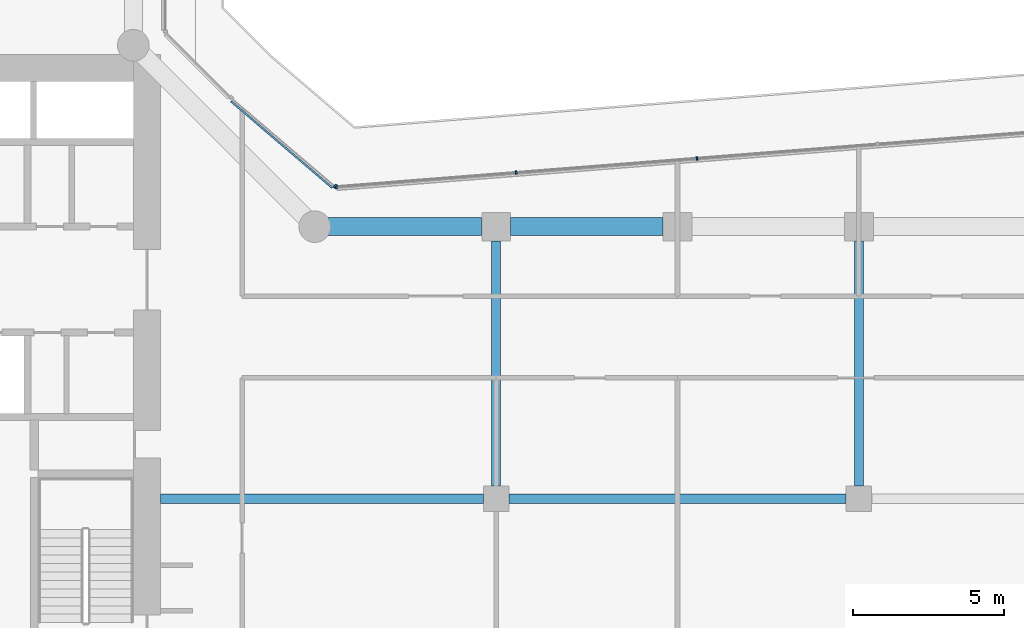
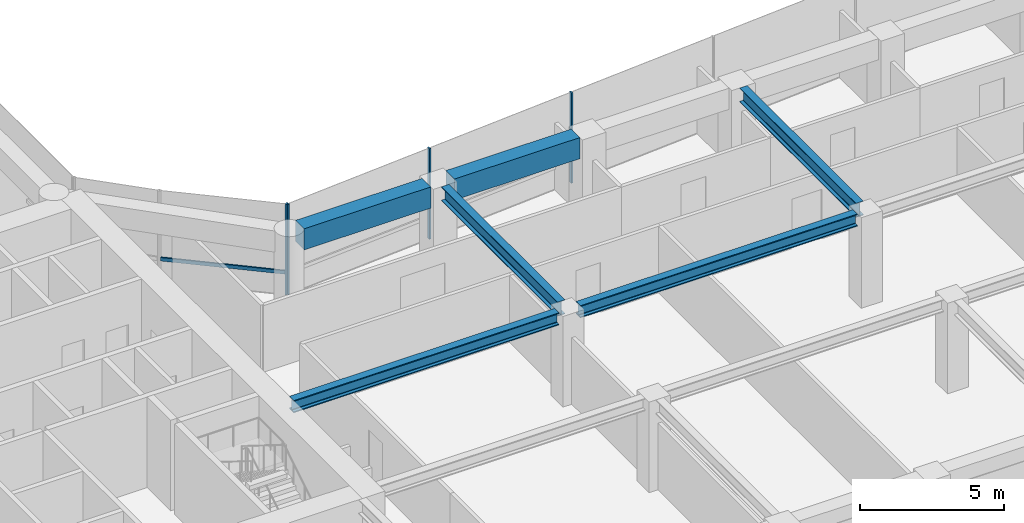
# One storey, part 9 of 28: 6 beams, 5 members, 2 elements without a shape of their own.
"""IFC4 building model written with IfcOpenShell, lengths in metres."""

import ifcopenshell
import ifcopenshell.guid

model = None  # the IFC model being written
_history = None  # IfcOwnerHistory: only IFC2X3 demands one
_inside = {}  # id of a spatial element -> (the spatial element, [elements in it])
_under = {}  # id of a project, library or spatial element -> (it, [spatial elements below it])
_declared = {}  # id of a project -> (the project, [libraries it declares])
_typed = {}  # id of a type object -> (the type object, [elements of that type])
_made_of = {}  # id of a material, layer set ... -> (it, [elements and type objects made of it])


def new_model(schema):
    """Start an empty IFC model of exactly this schema.

    Asked for "IFC4X3", IfcOpenShell would pick the latest addendum, in which some entities
    have other attributes; the version numbers below select the first issue.
    IFC2X3 requires an IfcOwnerHistory on every rooted entity: one is made here for all.
    """
    global model, _history
    if schema == "IFC4X3":
        model = ifcopenshell.file(schema_version=(4, 3, 0, 0))
    else:
        model = ifcopenshell.file(schema=schema)
    _inside.clear()
    _under.clear()
    _declared.clear()
    _typed.clear()
    _made_of.clear()
    _history = None
    if model.schema == "IFC2X3":
        org = make("IfcOrganization", Name="unknown")
        user = make(
            "IfcPersonAndOrganization",
            ThePerson=make("IfcPerson", FamilyName="unknown"),
            TheOrganization=org,
        )
        app = make(
            "IfcApplication",
            ApplicationDeveloper=org,
            Version="unknown",
            ApplicationFullName="unknown",
            ApplicationIdentifier="unknown",
        )
        _history = make(
            "IfcOwnerHistory",
            OwningUser=user,
            OwningApplication=app,
            ChangeAction="ADDED",
            CreationDate=0,
        )
    return model


def make(cls, **values):
    """One entity of the class cls with the attributes given. An attribute that is None is left unset."""
    return model.create_entity(
        cls, **{name: value for name, value in values.items() if value is not None}
    )


def rooted(cls, **values):
    """An entity with a GlobalId (a new one), such as an element, a storey or a relation."""
    return make(cls, GlobalId=ifcopenshell.guid.new(), OwnerHistory=_history, **values)


def si_unit(unit_type, name, prefix=None):
    """IfcSIUnit, for example si_unit("LENGTHUNIT", "METRE", prefix="MILLI")."""
    return make("IfcSIUnit", UnitType=unit_type, Prefix=prefix, Name=name)


def assignment(units):
    """IfcUnitAssignment: the units of a project."""
    return None if units is None else make("IfcUnitAssignment", Units=units)


def point(xyz):
    """IfcCartesianPoint."""
    return None if xyz is None else make("IfcCartesianPoint", Coordinates=xyz)


def direction(xyz):
    """IfcDirection."""
    return None if xyz is None else make("IfcDirection", DirectionRatios=xyz)


def frame(location, z_axis=None, x_axis=None):
    """IfcAxis2Placement3D, a coordinate frame: its origin and axes. An axis left out is left unset."""
    return make(
        "IfcAxis2Placement3D",
        Location=point(location),
        Axis=direction(z_axis),
        RefDirection=direction(x_axis),
    )


def frame_2d(location, x_axis=None):
    """IfcAxis2Placement2D, a coordinate frame in the plane: its origin and x axis."""
    return make(
        "IfcAxis2Placement2D", Location=point(location), RefDirection=direction(x_axis)
    )


def origin():
    """The frame at (0, 0, 0) with its axes left unset."""
    return frame((0.0, 0.0, 0.0))


def origin_2d():
    """The frame at (0, 0) in the plane with its x axis left unset."""
    return frame_2d((0.0, 0.0))


def place(relative_to, where):
    """IfcLocalPlacement: puts the frame where relative to a parent placement (None: the world)."""
    return make(
        "IfcLocalPlacement", PlacementRelTo=relative_to, RelativePlacement=where
    )


def context(
    kind, dimensions, precision=None, world=None, true_north=None, identifier=None
):
    """IfcGeometricRepresentationContext, for example the 3D "Model" context."""
    return make(
        "IfcGeometricRepresentationContext",
        ContextIdentifier=identifier,
        ContextType=kind,
        CoordinateSpaceDimension=dimensions,
        Precision=precision,
        WorldCoordinateSystem=world,
        TrueNorth=true_north,
    )


def subcontext(parent, identifier, kind, view, scale=None):
    """IfcGeometricRepresentationSubContext, for example "Body" below "Model"."""
    return make(
        "IfcGeometricRepresentationSubContext",
        ContextIdentifier=identifier,
        ContextType=kind,
        ParentContext=parent,
        TargetScale=scale,
        TargetView=view,
    )


def project(units=None, contexts=None):
    """IfcProject with its units and contexts."""
    return rooted(
        "IfcProject",
        Name="project",
        RepresentationContexts=contexts,
        UnitsInContext=assignment(units),
    )


def spatial(cls, under=None, at=None, **own):
    """A site, building, storey or space (cls), placed at a placement, below another one or the project."""
    s = rooted(cls, ObjectPlacement=at, **own)
    if under is not None:
        _under.setdefault(under.id(), (under, []))[1].append(s)
    return s


def profile(cls, at=None, kind="AREA", **sizes):
    """A parametric profile (cls). Its sizes go by their IFC names, for example OverallWidth=200.0."""
    return make(cls, ProfileType=kind, Position=at, **sizes)


def rectangle(**sizes):
    """IfcRectangleProfileDef."""
    return profile("IfcRectangleProfileDef", **sizes)


def i_section(**sizes):
    """IfcIShapeProfileDef."""
    return profile("IfcIShapeProfileDef", **sizes)


def extrude(swept, where, along, depth):
    """IfcExtrudedAreaSolid: the profile swept, set in the frame where, extruded along a direction by depth."""
    return make(
        "IfcExtrudedAreaSolid",
        SweptArea=swept,
        Position=where,
        ExtrudedDirection=direction(along),
        Depth=depth,
    )


def shape(context_of_items, identifier, shape_type, items):
    """IfcShapeRepresentation: the items that make up one representation, for example the "Body"."""
    return make(
        "IfcShapeRepresentation",
        ContextOfItems=context_of_items,
        RepresentationIdentifier=identifier,
        RepresentationType=shape_type,
        Items=items,
    )


def material(Name=None, Category=None):
    """IfcMaterial."""
    return make("IfcMaterial", Name=Name, Category=Category)


def layer(
    of_material, thickness, ventilated=None, Name=None, Category=None, Priority=None
):
    """IfcMaterialLayer: one layer of a wall or slab, of a material (None: an air gap)."""
    return make(
        "IfcMaterialLayer",
        Material=of_material,
        LayerThickness=thickness,
        IsVentilated=ventilated,
        Name=Name,
        Category=Category,
        Priority=Priority,
    )


def layer_set(layers, Name=None):
    """IfcMaterialLayerSet."""
    return make("IfcMaterialLayerSet", MaterialLayers=layers, LayerSetName=Name)


def material_profile(
    of_material, cross_section, Name=None, Category=None, Priority=None
):
    """IfcMaterialProfile: a cross section and its material."""
    return make(
        "IfcMaterialProfile",
        Name=Name,
        Material=of_material,
        Profile=cross_section,
        Priority=Priority,
        Category=Category,
    )


def profile_set(profiles, Name=None, composite=None):
    """IfcMaterialProfileSet."""
    return make(
        "IfcMaterialProfileSet",
        Name=Name,
        MaterialProfiles=profiles,
        CompositeProfile=composite,
    )


def made_of(thing, what):
    """Note that an element or type object is made of a material, layer set ...; save() writes the relation."""
    if what is not None:
        _made_of.setdefault(what.id(), (what, []))[1].append(thing)
    return thing


def type_object(cls, material=None, **own):
    """A type object (cls), such as IfcWallType, which elements share."""
    return made_of(rooted(cls, **own), material)


def element(
    cls,
    number,
    at=None,
    inside=None,
    cuts=None,
    type_object=None,
    material=None,
    context=None,
    identifier="Body",
    shape_type=None,
    held_by="IfcProductDefinitionShape",
    body=None,
    shapes=None,
    **own,
):
    """One element of the class cls, such as IfcWall. Its Tag is "e" and its number.

    at: its placement. inside: the storey or other place that contains it. cuts: it is an
    opening in that element (IfcRelVoidsElement). A single representation is given by context,
    identifier, shape_type and body (its items); several are given by shapes. held_by: the class
    of the entity that holds the representations. save() writes the other relations.
    """
    e = rooted(cls, Tag="e%d" % number, ObjectPlacement=at, **own)
    if body is not None:
        shapes = [shape(context, identifier, shape_type, body)]
    if shapes is not None:
        e.Representation = make(held_by, Representations=shapes)
    if inside is not None:
        _inside.setdefault(inside.id(), (inside, []))[1].append(e)
    if cuts is not None:
        rooted(
            "IfcRelVoidsElement", RelatingBuildingElement=cuts, RelatedOpeningElement=e
        )
    if type_object is not None:
        _typed.setdefault(type_object.id(), (type_object, []))[1].append(e)
    return made_of(e, material)


def aggregate(whole, parts):
    """IfcRelAggregates: a whole, such as a stair, and the parts it consists of."""
    return rooted("IfcRelAggregates", RelatingObject=whole, RelatedObjects=parts)


def save(model, path):
    """Write the relations noted so far, then the file.

    IfcRelAggregates (storeys below a building ...), IfcRelContainedInSpatialStructure (elements
    in a storey), IfcRelDefinesByType, IfcRelAssociatesMaterial and IfcRelDeclares: one each for
    every whole, place, type object, material and project.
    """
    for whole, parts in _under.values():
        aggregate(whole, parts)
    for where, things in _inside.values():
        rooted(
            "IfcRelContainedInSpatialStructure",
            RelatedElements=things,
            RelatingStructure=where,
        )
    for kind, things in _typed.values():
        rooted("IfcRelDefinesByType", RelatedObjects=things, RelatingType=kind)
    for what, things in _made_of.values():
        rooted("IfcRelAssociatesMaterial", RelatedObjects=things, RelatingMaterial=what)
    for by, libraries in _declared.values():
        rooted("IfcRelDeclares", RelatingContext=by, RelatedDefinitions=libraries)
    model.write(path)


model = new_model("IFC4")

# Units and contexts
model_context = context("Model", 3, precision=1e-05, world=origin(), true_north=direction((0.0, 1.0)))
body_context = subcontext(model_context, "Body", "Model", "MODEL_VIEW")
ifc_project = project(units=[si_unit("LENGTHUNIT", "METRE"), si_unit("AREAUNIT", "SQUARE_METRE"), si_unit("VOLUMEUNIT", "CUBIC_METRE"), si_unit("PLANEANGLEUNIT", "RADIAN"), si_unit("MASSUNIT", "GRAM", prefix="KILO")], contexts=[model_context])

# Site, building, storey
site_placement = place(None, origin())
site = spatial("IfcSite", under=ifc_project, at=site_placement, CompositionType="ELEMENT")
building_placement = place(site_placement, origin())
building = spatial("IfcBuilding", under=site, at=building_placement, Name="Welwitschia Terrace Campus", CompositionType="ELEMENT")
storey_placement = place(building_placement, frame((0.0, 0.0, 71.0)))
storey = spatial("IfcBuildingStorey", under=building, at=storey_placement, Name="L16", CompositionType="ELEMENT", Elevation=71.0)

# Beams
ifc_material_1 = material(Name="Steel S355", Category="steel")
ifc_material_profile_1 = material_profile(ifc_material_1, i_section(OverallWidth=0.305908203125, OverallDepth=0.52392578125, WebThickness=0.02099609375, FlangeThickness=0.0400390625, FilletRadius=0.027099609375, at=origin_2d()))
ifc_profile_set_1 = profile_set([ifc_material_profile_1], Name="Steel S355")
beam_type_1 = type_object("IfcBeamType", Name="Interior girder HE 500 M", PredefinedType="BEAM", material=ifc_profile_set_1)
beam_1_placement = place(storey_placement, frame((24.90087890625, 11.0, 3.587890625), z_axis=(1.0, 0.0, 0.0), x_axis=(0.0, 1.0, 0.0)))
element("IfcBeam", 1, at=beam_1_placement, inside=storey, type_object=beam_type_1, Name="Girder GB2", PredefinedType="BEAM", context=body_context, shape_type="SweptSolid", body=[
    extrude(i_section(OverallWidth=0.305908203125, OverallDepth=0.52392578125, WebThickness=0.02099609375, FlangeThickness=0.0400390625, FilletRadius=0.027099609375, at=origin_2d()), origin(), (0.0, 0.0, 1.0), 10.673583984375),
])
beam_2_placement = place(storey_placement, frame((36.425537109375, 11.0, 3.587890625), z_axis=(1.0, 0.0, 0.0), x_axis=(0.0, 1.0, 0.0)))
element("IfcBeam", 2, at=beam_2_placement, inside=storey, type_object=beam_type_1, Name="Girder GB2", PredefinedType="BEAM", context=body_context, shape_type="SweptSolid", body=[
    extrude(i_section(OverallWidth=0.305908203125, OverallDepth=0.52392578125, WebThickness=0.02099609375, FlangeThickness=0.0400390625, FilletRadius=0.027099609375, at=origin_2d()), origin(), (0.0, 0.0, 1.0), 11.14892578125),
])

# Curtain wall, members
ifc_material_2 = material(Name="Bronze anodised aluminium", Category="aluminium")
ifc_layer = layer(ifc_material_2, 0.1201171875)
ifc_layer_set = layer_set([ifc_layer], Name="Bronze anodised aluminium")
curtain_wall_type = type_object("IfcCurtainWallType", Name="Curtain wall CW2 tower 6000", PredefinedType="NOTDEFINED", material=ifc_layer_set)
curtain_wall_1_placement = place(storey_placement, origin())
curtain_wall_1 = element("IfcCurtainWall", 3, at=curtain_wall_1_placement, inside=storey, type_object=curtain_wall_type, Name="CW L16.11.0", PredefinedType="NOTDEFINED")
ifc_material_3 = material(Name="Bronze anodised aluminium", Category="aluminium")
ifc_material_profile_2 = material_profile(ifc_material_3, rectangle(XDim=0.1201171875, YDim=0.06005859375, at=origin_2d()))
ifc_profile_set_2 = profile_set([ifc_material_profile_2], Name="Bronze anodised aluminium")
member_type_1 = type_object("IfcMemberType", Name="Mullion 60x120", PredefinedType="MULLION", material=ifc_profile_set_2)
member_1_placement = place(storey_placement, frame((42.644775390625, 22.258056640625, 0.0), z_axis=(0.0, 0.0, 1.0), x_axis=(0.078459095728, -0.996917333733, 0.0)))
member_1 = element("IfcMember", 4, at=member_1_placement, type_object=member_type_1, Name="Mullion L16.11.0.3", PredefinedType="MULLION", context=body_context, shape_type="SweptSolid", body=[
    extrude(rectangle(XDim=0.1201171875, YDim=0.06005859375, at=origin_2d()), origin(), (0.0, 0.0, 1.0), 3.85009765625),
])
member_2_placement = place(storey_placement, frame((36.6630859375, 21.787353515625, 0.0), z_axis=(0.0, 0.0, 1.0), x_axis=(0.078459095728, -0.996917333733, 0.0)))
member_2 = element("IfcMember", 5, at=member_2_placement, type_object=member_type_1, Name="Mullion L16.11.0.4", PredefinedType="MULLION", context=body_context, shape_type="SweptSolid", body=[
    extrude(rectangle(XDim=0.1201171875, YDim=0.06005859375, at=origin_2d()), origin(), (0.0, 0.0, 1.0), 3.85009765625),
])
member_3_placement = place(storey_placement, frame((30.711669921875, 21.319091796875, 0.0), z_axis=(0.0, 0.0, 1.0), x_axis=(0.078459095728, -0.996917333733, 0.0)))
member_3 = element("IfcMember", 6, at=member_3_placement, type_object=member_type_1, Name="Mullion L16.11.0.5", PredefinedType="MULLION", context=body_context, shape_type="SweptSolid", body=[
    extrude(rectangle(XDim=0.1201171875, YDim=0.06005859375, at=origin_2d()), origin(), (0.0, 0.0, 1.0), 3.85009765625),
])
aggregate(curtain_wall_1, [member_1, member_2, member_3])

# Curtain wall, member
curtain_wall_2_placement = place(storey_placement, origin())
curtain_wall_2 = element("IfcCurtainWall", 7, at=curtain_wall_2_placement, inside=storey, type_object=curtain_wall_type, Name="CW L16.12.0", PredefinedType="NOTDEFINED")
member_4_placement = place(storey_placement, frame((30.658935546875, 21.336181640625, 0.0), z_axis=(0.0, 0.0, 1.0), x_axis=(-0.64944804833, -0.7604059656, 0.0)))
member_4 = element("IfcMember", 8, at=member_4_placement, type_object=member_type_1, Name="Mullion L16.12.0.0", PredefinedType="MULLION", context=body_context, shape_type="SweptSolid", body=[
    extrude(rectangle(XDim=0.1201171875, YDim=0.06005859375, at=origin_2d()), origin(), (0.0, 0.0, 1.0), 3.85009765625),
])

# Beams
ifc_material_4 = material(Name="Steel S355", Category="steel")
ifc_material_profile_3 = material_profile(ifc_material_4, i_section(OverallWidth=0.300048828125, OverallDepth=0.60009765625, WebThickness=0.015380859375, FlangeThickness=0.030029296875, FilletRadius=0.027099609375, at=origin_2d()))
ifc_profile_set_3 = profile_set([ifc_material_profile_3], Name="Steel S355")
beam_type_2 = type_object("IfcBeamType", Name="Primary beam HE 600 B", PredefinedType="BEAM", material=ifc_profile_set_3)
for number, where, z_axis, x_axis, name in (
    (9, (48.0, 19.5244140625, 3.550048828125), (0.0, -1.0, 0.0), (1.0, 0.0, 0.0), "Primary beam PB2"),
    (10, (36.0, 19.5244140625, 3.550048828125), (0.0, -1.0, 0.0), (1.0, 0.0, 0.0), "Primary beam PB2"),
):
    element("IfcBeam", number, at=place(storey_placement, frame(where, z_axis=z_axis, x_axis=x_axis)), inside=storey, type_object=beam_type_2, Name=name, PredefinedType="BEAM", context=body_context, shape_type="SweptSolid", body=[
        extrude(i_section(OverallWidth=0.300048828125, OverallDepth=0.60009765625, WebThickness=0.015380859375, FlangeThickness=0.030029296875, FilletRadius=0.027099609375, at=origin_2d()), origin(), (0.0, 0.0, 1.0), 8.098876953125),
    ])
ifc_material_5 = material(Name="Concrete C60/75", Category="concrete")
ifc_material_profile_4 = material_profile(ifc_material_5, rectangle(XDim=0.60009765625, YDim=0.89990234375, at=origin_2d()))
ifc_profile_set_4 = profile_set([ifc_material_profile_4], Name="Concrete C60/75")
beam_type_3 = type_object("IfcBeamType", Name="Ring spandrel 600x900", PredefinedType="SPANDREL", material=ifc_profile_set_4)
beam_3_placement = place(storey_placement, frame((41.5244140625, 20.0, 3.39990234375), z_axis=(-1.0, 0.0, 0.0), x_axis=(0.0, -1.0, 0.0)))
element("IfcBeam", 11, at=beam_3_placement, inside=storey, type_object=beam_type_3, Name="Spandrel SP2", PredefinedType="SPANDREL", context=body_context, shape_type="SweptSolid", body=[
    extrude(rectangle(XDim=0.60009765625, YDim=0.89990234375, at=origin_2d()), origin(), (0.0, 0.0, 1.0), 5.048828125),
])
beam_4_placement = place(storey_placement, frame((35.5244140625, 20.0, 3.39990234375), z_axis=(-1.0, 0.0, 0.0), x_axis=(0.0, -1.0, 0.0)))
element("IfcBeam", 12, at=beam_4_placement, inside=storey, type_object=beam_type_3, Name="Spandrel SP2", PredefinedType="SPANDREL", context=body_context, shape_type="SweptSolid", body=[
    extrude(rectangle(XDim=0.60009765625, YDim=0.89990234375, at=origin_2d()), origin(), (0.0, 0.0, 1.0), 5.093017578125),
])

# Member
ifc_material_6 = material(Name="Bronze anodised aluminium", Category="aluminium")
ifc_material_profile_5 = material_profile(ifc_material_6, rectangle(XDim=0.06005859375, YDim=0.14990234375, at=origin_2d()))
ifc_profile_set_5 = profile_set([ifc_material_profile_5], Name="Bronze anodised aluminium")
member_type_2 = type_object("IfcMemberType", Name="Transom 60x150", PredefinedType="USERDEFINED", material=ifc_profile_set_5)
member_5_placement = place(storey_placement, frame((30.57763671875, 21.287109375, 1.0), z_axis=(-0.76040560991, 0.64944846479, 0.0), x_axis=(-0.64944846479, -0.76040560991, 0.0)))
member_5 = element("IfcMember", 13, at=member_5_placement, type_object=member_type_2, Name="Transom L16.12.0", ObjectType="TRANSOM", PredefinedType="USERDEFINED", context=body_context, shape_type="SweptSolid", body=[
    extrude(rectangle(XDim=0.06005859375, YDim=0.14990234375, at=origin_2d()), origin(), (0.0, 0.0, 1.0), 4.405029296875),
])

aggregate(curtain_wall_2, [member_4, member_5])

save(model, "model.ifc")
